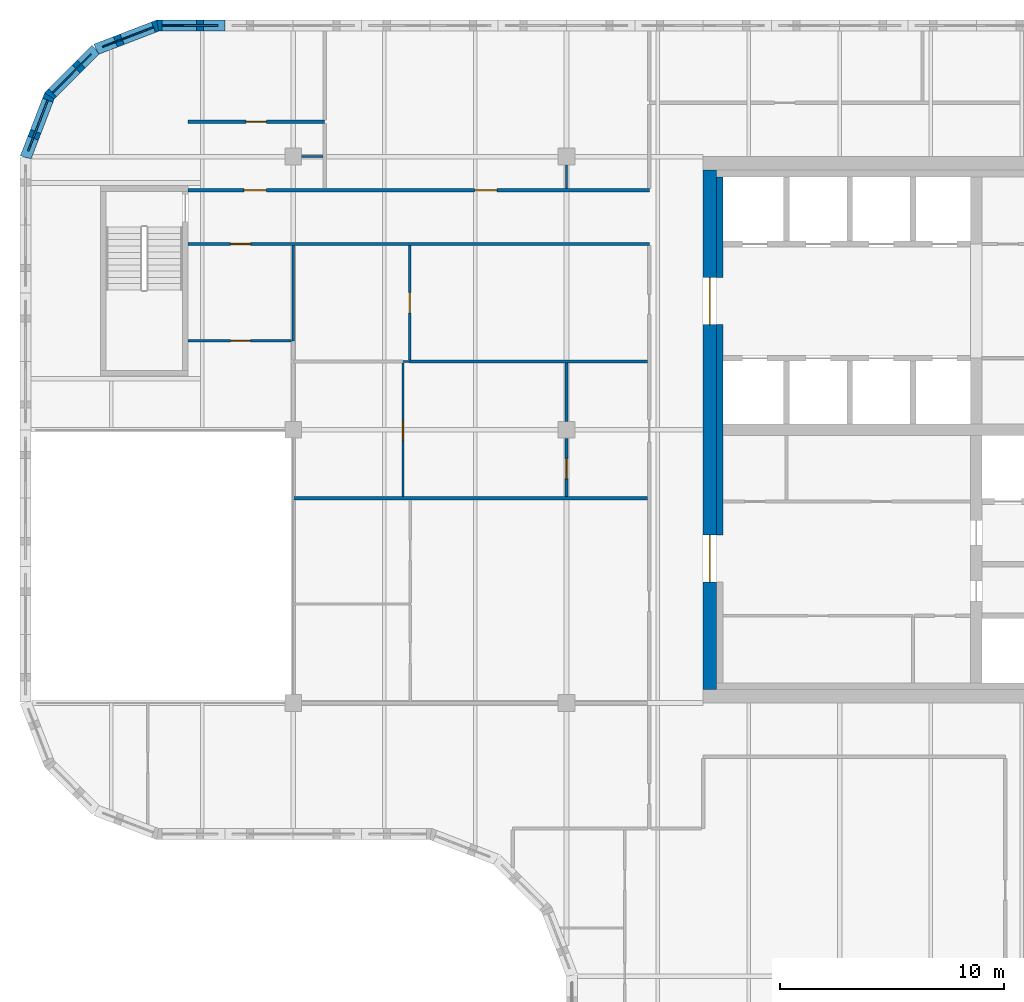
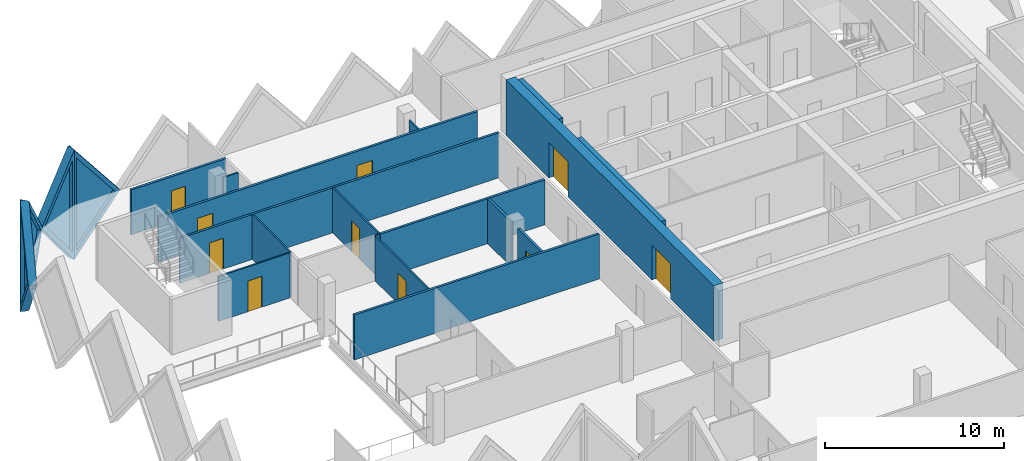
# One storey, part 7 of 12: 21 walls, 10 doors, 4 plates, 14 openings.
"""IFC4 building model written with IfcOpenShell, lengths in metres."""

from ifc_helpers import new_model, si_unit, direction, frame, frame_2d, origin, place, context, subcontext, project, spatial, polyline, rectangle, outline, extrude, faceted_brep, source, transform, mapped, material, layer, layer_set, type_object, element, fill, save


model = new_model("IFC4")

# Units and contexts
model_context = context("Model", 3, precision=1e-05, world=origin(), true_north=direction((0.0, 1.0)))
body_context = subcontext(model_context, "Body", "Model", "MODEL_VIEW")
ifc_project = project(units=[si_unit("LENGTHUNIT", "METRE"), si_unit("AREAUNIT", "SQUARE_METRE"), si_unit("VOLUMEUNIT", "CUBIC_METRE"), si_unit("PLANEANGLEUNIT", "RADIAN"), si_unit("MASSUNIT", "GRAM", prefix="KILO")], contexts=[model_context])

# Site, building, storey
site_placement = place(None, origin())
site = spatial("IfcSite", under=ifc_project, at=site_placement, CompositionType="ELEMENT")
building_placement = place(site_placement, origin())
building = spatial("IfcBuilding", under=site, at=building_placement, Name="Tessera Gate Towers", CompositionType="ELEMENT")
storey_placement = place(building_placement, frame((0.0, 0.0, 178.199951171875)))
storey = spatial("IfcBuildingStorey", under=building, at=storey_placement, Name="L44", CompositionType="ELEMENT", Elevation=178.199951171875)

# Wall, openings, doors
ifc_material_1 = material(Name="Concrete C50/60", Category="concrete")
ifc_layer_1 = layer(ifc_material_1, 0.60009765625)
ifc_layer_set_1 = layer_set([ifc_layer_1], Name="CORE SHEAR WALL 600 C50/60")
wall_type_1 = type_object("IfcWallType", Name="CORE SHEAR WALL 600 C50/60", PredefinedType="SHEAR", material=ifc_layer_set_1)
wall_1_placement = place(storey_placement, frame((30.800048828125, 25.0, 0.0), z_axis=(0.0, 0.0, 1.0), x_axis=(0.0, 1.0, 0.0)))
wall_1 = element("IfcWall", 1, at=wall_1_placement, inside=storey, type_object=wall_type_1, Name="Core wall W L44", PredefinedType="SHEAR", context=body_context, shape_type="SweptSolid", body=[
    extrude(rectangle(XDim=23.199951171875, YDim=0.60009765625, at=frame_2d((11.60009765625, 0.0))), origin(), (0.0, 0.0, 1.0), 3.800048828125),
])
shared_shape_1 = source(origin(), body_context, "Body", "SweptSolid", [
    extrude(rectangle(XDim=2.10009765625, YDim=2.39990234375, at=frame_2d((1.050048828125, 1.199951171875))), frame((0.0, 0.31005859375, 0.0), z_axis=(0.0, -1.0, 0.0), x_axis=(1.0, 0.0, 0.0)), (0.0, 0.0, 1.0), 0.6201171875),
])
opening_1_placement = place(wall_1_placement, frame((4.800048828125, 0.0, 0.0)))
opening_1 = element("IfcOpeningElement", 2, at=opening_1_placement, cuts=wall_1, Name="Opening DD-T1-28-02", PredefinedType="OPENING", context=body_context, shape_type="MappedRepresentation", body=[
    mapped(shared_shape_1, transform((0.0, 0.0, 0.0), scale=1.0)),
])
opening_2_placement = place(wall_1_placement, frame((16.300048828125, 0.0, 0.0)))
opening_2 = element("IfcOpeningElement", 3, at=opening_2_placement, cuts=wall_1, Name="Opening DD-T1-28-03", PredefinedType="OPENING", context=body_context, shape_type="MappedRepresentation", body=[
    mapped(shared_shape_1, transform((0.0, 0.0, 0.0), scale=1.0)),
])
ifc_material_2 = material(Name="Hollow steel fire door", Category="steel")
door_type_1 = type_object("IfcDoorType", Name="CORE DOOR DD 2100x2400", OperationType="NOTDEFINED", PredefinedType="DOOR", material=ifc_material_2)
shared_shape_2 = source(origin(), body_context, "Body", "SweptSolid", [
    extrude(rectangle(XDim=2.10009765625, YDim=2.39990234375, at=frame_2d((1.050048828125, 1.199951171875))), frame((0.0, 0.02490234375, 0.0), z_axis=(0.0, -1.0, 0.0), x_axis=(1.0, 0.0, 0.0)), (0.0, 0.0, 1.0), 0.050048828125),
])
door_1_placement = place(opening_1_placement, origin())
door_1 = element("IfcDoor", 4, at=door_1_placement, inside=storey, type_object=door_type_1, Name="Core entrance door", OperationType="DOUBLE_DOOR_SINGLE_SWING", OverallHeight=2.39990234375, OverallWidth=2.10009765625, PredefinedType="DOOR", context=body_context, shape_type="MappedRepresentation", body=[
    mapped(shared_shape_2, transform((0.0, 0.0, 0.0), scale=1.0)),
])
fill(opening_1, door_1)
door_2_placement = place(opening_2_placement, origin())
door_2 = element("IfcDoor", 5, at=door_2_placement, inside=storey, type_object=door_type_1, Name="Core entrance door", OperationType="DOUBLE_DOOR_SINGLE_SWING", OverallHeight=2.39990234375, OverallWidth=2.10009765625, PredefinedType="DOOR", context=body_context, shape_type="MappedRepresentation", body=[
    mapped(shared_shape_2, transform((0.0, 0.0, 0.0), scale=1.0)),
])
fill(opening_2, door_2)

# Walls
ifc_material_3 = material(Name="Concrete C50/60", Category="concrete")
ifc_layer_2 = layer(ifc_material_3, 0.300048828125)
ifc_layer_set_2 = layer_set([ifc_layer_2], Name="CORE WALL THICKENING 300")
wall_type_2 = type_object("IfcWallType", Name="CORE WALL THICKENING 300", PredefinedType="SOLIDWALL", material=ifc_layer_set_2)
wall_2_placement = place(storey_placement, frame((31.25, 31.89990234375, 0.0), z_axis=(0.0, 0.0, 1.0), x_axis=(0.0, 1.0, 0.0)))
element("IfcWall", 6, at=wall_2_placement, inside=storey, type_object=wall_type_2, Name="Core wall thickening W L44", PredefinedType="SOLIDWALL", context=body_context, shape_type="SweptSolid", body=[
    extrude(rectangle(XDim=9.400146484375, YDim=0.300048828125, at=frame_2d((4.7001953125, 0.0))), origin(), (0.0, 0.0, 1.0), 3.800048828125),
])
wall_3_placement = place(storey_placement, frame((31.25, 43.39990234375, 0.0), z_axis=(0.0, 0.0, 1.0), x_axis=(0.0, 1.0, 0.0)))
element("IfcWall", 7, at=wall_3_placement, inside=storey, type_object=wall_type_2, Name="Core wall thickening W L44", PredefinedType="SOLIDWALL", context=body_context, shape_type="SweptSolid", body=[
    extrude(rectangle(XDim=4.5, YDim=0.300048828125, at=frame_2d((2.25, 0.0))), origin(), (0.0, 0.0, 1.0), 3.800048828125),
])

# Wall, opening, door
ifc_material_4 = material(Name="Gypsum board on steel studs, mineral wool", Category="steel")
ifc_layer_3 = layer(ifc_material_4, 0.14990234375)
ifc_layer_set_3 = layer_set([ifc_layer_3], Name="CORRIDOR WALL 150")
wall_type_3 = type_object("IfcWallType", Name="CORRIDOR WALL 150", PredefinedType="PARTITIONING", material=ifc_layer_set_3)
wall_4_placement = place(storey_placement, frame((28.10009765625, 44.89990234375, 0.0), z_axis=(0.0, 0.0, 1.0), x_axis=(-1.0, 0.0, 0.0)))
wall_4 = element("IfcWall", 8, at=wall_4_placement, inside=storey, type_object=wall_type_3, Name="T1-L44-PW-041", PredefinedType="PARTITIONING", context=body_context, shape_type="SweptSolid", body=[
    extrude(rectangle(XDim=20.60009765625, YDim=0.14990234375, at=frame_2d((10.300048828125, 0.0))), origin(), (0.0, 0.0, 1.0), 3.067138671875),
])
shared_shape_3 = source(origin(), body_context, "Body", "SweptSolid", [
    extrude(rectangle(XDim=0.89990234375, YDim=2.10009765625, at=frame_2d((0.449951171875, 1.050048828125))), frame((0.0, 0.0849609375, 0.0), z_axis=(0.0, -1.0, 0.0), x_axis=(1.0, 0.0, 0.0)), (0.0, 0.0, 1.0), 0.169921875),
])
opening_3_placement = place(wall_4_placement, frame((17.800048828125, 0.0, 0.0)))
opening_3 = element("IfcOpeningElement", 9, at=opening_3_placement, cuts=wall_4, Name="Opening D890FD60-A16-02", PredefinedType="OPENING", context=body_context, shape_type="MappedRepresentation", body=[
    mapped(shared_shape_3, transform((0.0, 0.0, 0.0), scale=1.0)),
])
ifc_material_5 = material(Name="Timber door leaf in steel frame", Category="steel")
door_type_2 = type_object("IfcDoorType", Name="CORRIDOR DOOR 900 FD60", OperationType="NOTDEFINED", PredefinedType="DOOR", material=ifc_material_5)
shared_shape_4 = source(origin(), body_context, "Body", "SweptSolid", [
    extrude(rectangle(XDim=0.89990234375, YDim=2.10009765625, at=frame_2d((0.449951171875, 1.050048828125))), frame((0.0, 0.02490234375, 0.0), z_axis=(0.0, -1.0, 0.0), x_axis=(1.0, 0.0, 0.0)), (0.0, 0.0, 1.0), 0.050048828125),
])
door_3_placement = place(opening_3_placement, origin())
door_3 = element("IfcDoor", 10, at=door_3_placement, inside=storey, type_object=door_type_2, Name="T1-L44-PD-009", OperationType="SINGLE_SWING_RIGHT", OverallHeight=2.10009765625, OverallWidth=0.89990234375, PredefinedType="DOOR", context=body_context, shape_type="MappedRepresentation", body=[
    mapped(shared_shape_4, transform((0.0, 0.0, 0.0), scale=1.0)),
])
fill(opening_3, door_3)

# Wall, openings, doors
wall_5_placement = place(storey_placement, frame((7.5, 47.300048828125, 0.0), z_axis=(0.0, 0.0, 1.0), x_axis=(1.0, 0.0, 0.0)))
wall_5 = element("IfcWall", 11, at=wall_5_placement, inside=storey, type_object=wall_type_3, Name="T1-L44-PW-042", PredefinedType="PARTITIONING", context=body_context, shape_type="SweptSolid", body=[
    extrude(rectangle(XDim=20.60009765625, YDim=0.14990234375, at=frame_2d((10.300048828125, 0.0))), origin(), (0.0, 0.0, 1.0), 3.067138671875),
])
shared_shape_5 = source(origin(), body_context, "Body", "SweptSolid", [
    extrude(rectangle(XDim=1.0, YDim=2.10009765625, at=frame_2d((0.5, 1.050048828125))), frame((0.0, 0.0849609375, 0.0), z_axis=(0.0, -1.0, 0.0), x_axis=(1.0, 0.0, 0.0)), (0.0, 0.0, 1.0), 0.169921875),
])
opening_4_placement = place(wall_5_placement, frame((2.5, 0.0, 0.0)))
opening_4 = element("IfcOpeningElement", 12, at=opening_4_placement, cuts=wall_5, Name="Opening D2100FD60-A16-03", PredefinedType="OPENING", context=body_context, shape_type="MappedRepresentation", body=[
    mapped(shared_shape_5, transform((0.0, 0.0, 0.0), scale=1.0)),
])
opening_5_placement = place(wall_5_placement, frame((12.800048828125, 0.0, 0.0)))
opening_5 = element("IfcOpeningElement", 13, at=opening_5_placement, cuts=wall_5, Name="Opening D2100FD60-A16-06", PredefinedType="OPENING", context=body_context, shape_type="MappedRepresentation", body=[
    mapped(shared_shape_5, transform((0.0, 0.0, 0.0), scale=1.0)),
])
ifc_material_6 = material(Name="Timber door leaf in steel frame", Category="steel")
door_type_3 = type_object("IfcDoorType", Name="TENANCY ENTRANCE DOOR 1000 FD60", OperationType="NOTDEFINED", PredefinedType="DOOR", material=ifc_material_6)
shared_shape_6 = source(origin(), body_context, "Body", "SweptSolid", [
    extrude(rectangle(XDim=1.0, YDim=2.10009765625, at=frame_2d((0.5, 1.050048828125))), frame((0.0, 0.02490234375, 0.0), z_axis=(0.0, -1.0, 0.0), x_axis=(1.0, 0.0, 0.0)), (0.0, 0.0, 1.0), 0.050048828125),
])
door_4_placement = place(opening_4_placement, origin())
door_4 = element("IfcDoor", 14, at=door_4_placement, inside=storey, type_object=door_type_3, Name="T1-L44-PD-018", OperationType="SINGLE_SWING_LEFT", OverallHeight=2.10009765625, OverallWidth=1.0, PredefinedType="DOOR", context=body_context, shape_type="MappedRepresentation", body=[
    mapped(shared_shape_6, transform((0.0, 0.0, 0.0), scale=1.0)),
])
fill(opening_4, door_4)
door_5_placement = place(opening_5_placement, origin())
door_5 = element("IfcDoor", 15, at=door_5_placement, inside=storey, type_object=door_type_3, Name="T1-L44-PD-026", OperationType="SINGLE_SWING_LEFT", OverallHeight=2.10009765625, OverallWidth=1.0, PredefinedType="DOOR", context=body_context, shape_type="MappedRepresentation", body=[
    mapped(shared_shape_6, transform((0.0, 0.0, 0.0), scale=1.0)),
])
fill(opening_5, door_5)

# Wall
ifc_material_7 = material(Name="Glass", Category="glass")
ifc_layer_4 = layer(ifc_material_7, 0.10009765625)
ifc_layer_set_4 = layer_set([ifc_layer_4], Name="GLAZED PARTITION 100")
wall_type_4 = type_object("IfcWallType", Name="GLAZED PARTITION 100", PredefinedType="PARTITIONING", material=ifc_layer_set_4)
wall_6_placement = place(storey_placement, frame((17.10107421875, 39.64990234375, 0.0), z_axis=(0.0, 0.0, 1.0), x_axis=(1.0, 0.0, 0.0)))
element("IfcWall", 16, at=wall_6_placement, inside=storey, type_object=wall_type_4, Name="T1-L44-PW-035", PredefinedType="PARTITIONING", context=body_context, shape_type="SweptSolid", body=[
    extrude(rectangle(XDim=0.2978515625, YDim=0.10009765625, at=frame_2d((0.14892578125, 0.0))), origin(), (0.0, 0.0, 1.0), 3.067138671875),
])

# Wall, opening, door
wall_7_placement = place(storey_placement, frame((17.39990234375, 39.72607421875, 0.0), z_axis=(0.0, 0.0, 1.0), x_axis=(0.0, 1.0, 0.0)))
wall_7 = element("IfcWall", 17, at=wall_7_placement, inside=storey, type_object=wall_type_4, Name="T1-L44-PW-038", PredefinedType="PARTITIONING", context=body_context, shape_type="SweptSolid", body=[
    extrude(rectangle(XDim=5.097900390625, YDim=0.10009765625, at=frame_2d((2.548828125, 0.0))), origin(), (0.0, 0.0, 1.0), 3.067138671875),
])
shared_shape_7 = source(origin(), body_context, "Body", "SweptSolid", [
    extrude(rectangle(XDim=0.89990234375, YDim=2.10009765625, at=frame_2d((0.449951171875, 1.050048828125))), frame((0.0, 0.06005859375, 0.0), z_axis=(0.0, -1.0, 0.0), x_axis=(1.0, 0.0, 0.0)), (0.0, 0.0, 1.0), 0.1201171875),
])
opening_6_placement = place(wall_7_placement, frame((2.10009765625, 0.0, 0.0)))
opening_6 = element("IfcOpeningElement", 18, at=opening_6_placement, cuts=wall_7, Name="Opening D690-A16-02", PredefinedType="OPENING", context=body_context, shape_type="MappedRepresentation", body=[
    mapped(shared_shape_7, transform((0.0, 0.0, 0.0), scale=1.0)),
])
ifc_material_8 = material(Name="Glass in aluminium frame", Category="aluminium")
door_type_4 = type_object("IfcDoorType", Name="GLAZED DOOR 900 NOT RATED", OperationType="NOTDEFINED", PredefinedType="DOOR", material=ifc_material_8)
door_6_placement = place(opening_6_placement, origin())
door_6 = element("IfcDoor", 19, at=door_6_placement, inside=storey, type_object=door_type_4, Name="T1-L44-PD-012", OperationType="SINGLE_SWING_LEFT", OverallHeight=2.10009765625, OverallWidth=0.89990234375, PredefinedType="DOOR", context=body_context, shape_type="MappedRepresentation", body=[
    mapped(shared_shape_4, transform((0.0, 0.0, 0.0), scale=1.0)),
])
fill(opening_6, door_6)

wall_8_placement = place(storey_placement, frame((12.1240234375, 40.574951171875, 0.0), z_axis=(0.0, 0.0, 1.0), x_axis=(-1.0, 0.0, 0.0)))
wall_8 = element("IfcWall", 20, at=wall_8_placement, inside=storey, type_object=wall_type_4, Name="T1-L44-PW-039", PredefinedType="PARTITIONING", context=body_context, shape_type="SweptSolid", body=[
    extrude(rectangle(XDim=4.6240234375, YDim=0.10009765625, at=frame_2d((2.31201171875, 0.0))), origin(), (0.0, 0.0, 1.0), 3.067138671875),
])
opening_7_placement = place(wall_8_placement, frame((1.823974609375, 0.0, 0.0)))
opening_7 = element("IfcOpeningElement", 21, at=opening_7_placement, cuts=wall_8, Name="Opening D690-A16-01", PredefinedType="OPENING", context=body_context, shape_type="MappedRepresentation", body=[
    mapped(shared_shape_7, transform((0.0, 0.0, 0.0), scale=1.0)),
])
door_7_placement = place(opening_7_placement, origin())
door_7 = element("IfcDoor", 22, at=door_7_placement, inside=storey, type_object=door_type_4, Name="T1-L44-PD-008", OperationType="SINGLE_SWING_RIGHT", OverallHeight=2.10009765625, OverallWidth=0.89990234375, PredefinedType="DOOR", context=body_context, shape_type="MappedRepresentation", body=[
    mapped(shared_shape_4, transform((0.0, 0.0, 0.0), scale=1.0)),
])
fill(opening_7, door_7)

# Wall
wall_9_placement = place(storey_placement, frame((12.199951171875, 40.575927734375, 0.0), z_axis=(0.0, 0.0, 1.0), x_axis=(0.0, 1.0, 0.0)))
element("IfcWall", 23, at=wall_9_placement, inside=storey, type_object=wall_type_4, Name="T1-L44-PW-040", PredefinedType="PARTITIONING", context=body_context, shape_type="SweptSolid", body=[
    extrude(rectangle(XDim=4.248046875, YDim=0.10009765625, at=frame_2d((2.1240234375, 0.0))), origin(), (0.0, 0.0, 1.0), 3.067138671875),
])

# Wall, opening, door
ifc_material_9 = material(Name="Gypsum board on steel studs", Category="steel")
ifc_layer_5 = layer(ifc_material_9, 0.10009765625)
ifc_layer_set_5 = layer_set([ifc_layer_5], Name="PARTITION 100")
wall_type_5 = type_object("IfcWallType", Name="PARTITION 100", PredefinedType="PARTITIONING", material=ifc_layer_set_5)
wall_10_placement = place(storey_placement, frame((17.10009765625, 33.6259765625, 0.0), z_axis=(0.0, 0.0, 1.0), x_axis=(0.0, 1.0, 0.0)))
wall_10 = element("IfcWall", 24, at=wall_10_placement, inside=storey, type_object=wall_type_5, Name="T1-L44-PW-030", PredefinedType="PARTITIONING", context=body_context, shape_type="SweptSolid", body=[
    extrude(rectangle(XDim=5.947998046875, YDim=0.10009765625, at=frame_2d((2.97412109375, 0.0))), origin(), (0.0, 0.0, 1.0), 3.067138671875),
])
opening_8_placement = place(wall_10_placement, frame((2.5, 0.0, 0.0)))
opening_8 = element("IfcOpeningElement", 25, at=opening_8_placement, cuts=wall_10, Name="Opening D190-A16-09", PredefinedType="OPENING", context=body_context, shape_type="MappedRepresentation", body=[
    mapped(shared_shape_7, transform((0.0, 0.0, 0.0), scale=1.0)),
])
ifc_material_10 = material(Name="Timber door leaf in steel frame", Category="steel")
door_type_5 = type_object("IfcDoorType", Name="INTERNAL DOOR 900 NOT RATED", OperationType="NOTDEFINED", PredefinedType="DOOR", material=ifc_material_10)
door_8_placement = place(opening_8_placement, origin())
door_8 = element("IfcDoor", 26, at=door_8_placement, inside=storey, type_object=door_type_5, Name="T1-L44-PD-016", OperationType="SINGLE_SWING_LEFT", OverallHeight=2.10009765625, OverallWidth=0.89990234375, PredefinedType="DOOR", context=body_context, shape_type="MappedRepresentation", body=[
    mapped(shared_shape_4, transform((0.0, 0.0, 0.0), scale=1.0)),
])
fill(opening_8, door_8)

# Walls
wall_11_placement = place(storey_placement, frame((24.39990234375, 48.425048828125, 0.0), z_axis=(0.0, 0.0, 1.0), x_axis=(0.0, -1.0, 0.0)))
element("IfcWall", 27, at=wall_11_placement, inside=storey, type_object=wall_type_5, Name="T1-L44-PW-045", PredefinedType="PARTITIONING", context=body_context, shape_type="SweptSolid", body=[
    extrude(rectangle(XDim=1.050048828125, YDim=0.10009765625, at=frame_2d((0.52490234375, 0.0))), origin(), (0.0, 0.0, 1.0), 3.067138671875),
])
wall_12_placement = place(storey_placement, frame((12.574951171875, 48.800048828125, 0.0), z_axis=(0.0, 0.0, 1.0), x_axis=(1.0, 0.0, 0.0)))
element("IfcWall", 28, at=wall_12_placement, inside=storey, type_object=wall_type_5, Name="T1-L44-PW-046", PredefinedType="PARTITIONING", context=body_context, shape_type="SweptSolid", body=[
    extrude(rectangle(XDim=0.949951171875, YDim=0.10009765625, at=frame_2d((0.47509765625, 0.0))), origin(), (0.0, 0.0, 1.0), 3.067138671875),
])
ifc_material_11 = material(Name="Gypsum board on steel studs, mineral wool", Category="steel")
ifc_layer_6 = layer(ifc_material_11, 0.14990234375)
ifc_layer_set_6 = layer_set([ifc_layer_6], Name="TENANCY WALL 150")
wall_type_6 = type_object("IfcWallType", Name="TENANCY WALL 150", PredefinedType="PARTITIONING", material=ifc_layer_set_6)
wall_13_placement = place(storey_placement, frame((12.199951171875, 33.550048828125, 0.0), z_axis=(0.0, 0.0, 1.0), x_axis=(1.0, 0.0, 0.0)))
element("IfcWall", 29, at=wall_13_placement, inside=storey, type_object=wall_type_6, Name="T1-L44-PW-029", PredefinedType="PARTITIONING", context=body_context, shape_type="SweptSolid", body=[
    extrude(rectangle(XDim=15.823974609375, YDim=0.14990234375, at=frame_2d((7.912109375, 0.0))), origin(), (0.0, 0.0, 1.0), 3.067138671875),
])

# Wall, opening, door
wall_14_placement = place(storey_placement, frame((24.39990234375, 33.6259765625, 0.0), z_axis=(0.0, 0.0, 1.0), x_axis=(0.0, 1.0, 0.0)))
wall_14 = element("IfcWall", 30, at=wall_14_placement, inside=storey, type_object=wall_type_6, Name="T1-L44-PW-031", PredefinedType="PARTITIONING", context=body_context, shape_type="SweptSolid", body=[
    extrude(rectangle(XDim=2.59814453125, YDim=0.14990234375, at=frame_2d((1.299072265625, 0.0))), origin(), (0.0, 0.0, 1.0), 3.067138671875),
])
opening_9_placement = place(wall_14_placement, frame((0.800048828125, 0.0, 0.0)))
opening_9 = element("IfcOpeningElement", 31, at=opening_9_placement, cuts=wall_14, Name="Opening D190-A16-08", PredefinedType="OPENING", context=body_context, shape_type="MappedRepresentation", body=[
    mapped(shared_shape_3, transform((0.0, 0.0, 0.0), scale=1.0)),
])
door_9_placement = place(opening_9_placement, origin())
door_9 = element("IfcDoor", 32, at=door_9_placement, inside=storey, type_object=door_type_5, Name="T1-L44-PD-014", OperationType="SINGLE_SWING_LEFT", OverallHeight=2.10009765625, OverallWidth=0.89990234375, PredefinedType="DOOR", context=body_context, shape_type="MappedRepresentation", body=[
    mapped(shared_shape_4, transform((0.0, 0.0, 0.0), scale=1.0)),
])
fill(opening_9, door_9)

# Walls
wall_15_placement = place(storey_placement, frame((24.39990234375, 36.97607421875, 0.0), z_axis=(0.0, 0.0, 1.0), x_axis=(0.0, 1.0, 0.0)))
element("IfcWall", 33, at=wall_15_placement, inside=storey, type_object=wall_type_6, Name="T1-L44-PW-033", PredefinedType="PARTITIONING", context=body_context, shape_type="SweptSolid", body=[
    extrude(rectangle(XDim=2.597900390625, YDim=0.14990234375, at=frame_2d((1.298828125, 0.0))), origin(), (0.0, 0.0, 1.0), 3.067138671875),
])
wall_16_placement = place(storey_placement, frame((17.39990234375, 39.64990234375, 0.0), z_axis=(0.0, 0.0, 1.0), x_axis=(1.0, 0.0, 0.0)))
element("IfcWall", 34, at=wall_16_placement, inside=storey, type_object=wall_type_6, Name="T1-L44-PW-036", PredefinedType="PARTITIONING", context=body_context, shape_type="SweptSolid", body=[
    extrude(rectangle(XDim=10.6240234375, YDim=0.14990234375, at=frame_2d((5.31201171875, 0.0))), origin(), (0.0, 0.0, 1.0), 3.067138671875),
])

# Wall, opening, door
wall_17_placement = place(storey_placement, frame((7.5, 50.35009765625, 0.0), z_axis=(0.0, 0.0, 1.0), x_axis=(1.0, 0.0, 0.0)))
wall_17 = element("IfcWall", 35, at=wall_17_placement, inside=storey, type_object=wall_type_6, Name="T1-L44-PW-047", PredefinedType="PARTITIONING", context=body_context, shape_type="SweptSolid", body=[
    extrude(rectangle(XDim=6.10009765625, YDim=0.14990234375, at=frame_2d((3.050048828125, 0.0))), origin(), (0.0, 0.0, 1.0), 3.067138671875),
])
opening_10_placement = place(wall_17_placement, frame((2.60009765625, 0.0, 0.0)))
opening_10 = element("IfcOpeningElement", 36, at=opening_10_placement, cuts=wall_17, Name="Opening D190-A16-10", PredefinedType="OPENING", context=body_context, shape_type="MappedRepresentation", body=[
    mapped(shared_shape_3, transform((0.0, 0.0, 0.0), scale=1.0)),
])
door_10_placement = place(opening_10_placement, origin())
door_10 = element("IfcDoor", 37, at=door_10_placement, inside=storey, type_object=door_type_5, Name="T1-L44-PD-020", OperationType="SINGLE_SWING_LEFT", OverallHeight=2.10009765625, OverallWidth=0.89990234375, PredefinedType="DOOR", context=body_context, shape_type="MappedRepresentation", body=[
    mapped(shared_shape_4, transform((0.0, 0.0, 0.0), scale=1.0)),
])
fill(opening_10, door_10)

# Wall, opening, plate
ifc_material_12 = material(Name="Precast concrete C60/75 white", Category="concrete")
ifc_layer_7 = layer(ifc_material_12, 0.5)
ifc_layer_set_7 = layer_set([ifc_layer_7], Name="TS3 corner tessera")
wall_type_7 = type_object("IfcWallType", Name="TS3 corner tessera", PredefinedType="SOLIDWALL", material=ifc_layer_set_7)
shared_shape_8 = source(origin(), body_context, "Body", "Brep", [
    faceted_brep([(3.00341796875, -0.25, 0.0), (3.050048828125, -0.25, 0.06005859375), (3.050048828125, -0.25, 7.5400390625), (3.00341796875, -0.25, 7.60009765625), (0.0, -0.25, 3.800048828125), (0.0, 0.25, 3.800048828125), (2.956787109375, 0.25, 7.541259765625), (2.956787109375, 0.25, 0.058837890625), (3.00341796875, 0.000244140625, 0.0), (3.00341796875, 0.000244140625, 7.60009765625)], [[[0, 1, 2, 3, 4]], [[5, 6, 7]], [[1, 0, 8]], [[9, 3, 2]], [[6, 5, 4, 3, 9]], [[5, 7, 8, 0, 4]], [[1, 8, 7, 6, 9, 2]]]),
])
wall_18_placement = place(storey_placement, frame((9.14990234375, 54.64990234375, -3.800048828125), z_axis=(0.0, 0.0, 1.0), x_axis=(-1.0, 0.0, 0.0)))
wall_18 = element("IfcWall", 38, at=wall_18_placement, inside=storey, type_object=wall_type_7, Name="Precast corner tessera T1 TS3-1019", PredefinedType="SOLIDWALL", context=body_context, shape_type="MappedRepresentation", body=[
    mapped(shared_shape_8, transform((0.0, 0.0, 0.0), scale=1.0)),
])
shared_shape_9 = source(origin(), body_context, "Body", "SweptSolid", [
    extrude(outline(polyline([(2.803466796875, 6.94384765625), (0.318603515625, 3.800048828125), (2.803466796875, 0.65625), (2.803466796875, 6.94384765625)])), frame((0.0, 0.260009765625, 0.0), z_axis=(0.0, -1.0, 0.0), x_axis=(1.0, 0.0, 0.0)), (0.0, 0.0, 1.0), 0.52001953125),
])
opening_11_placement = place(wall_18_placement, origin())
opening_11 = element("IfcOpeningElement", 39, at=opening_11_placement, cuts=wall_18, Name="Opening T1-PL2-1578", PredefinedType="OPENING", context=body_context, shape_type="MappedRepresentation", body=[
    mapped(shared_shape_9, transform((0.0, 0.0, 0.0), scale=1.0)),
])
ifc_material_13 = material(Name="Low-e laminated glass", Category="glass")
ifc_layer_8 = layer(ifc_material_13, 0.06005859375)
ifc_layer_set_8 = layer_set([ifc_layer_8], Name="PL2 rhombic pane")
plate_type = type_object("IfcPlateType", Name="PL2 rhombic pane", PredefinedType="SHEET", material=ifc_layer_set_8)
shared_shape_10 = source(origin(), body_context, "Body", "SweptSolid", [
    extrude(outline(polyline([(2.803466796875, 6.94384765625), (0.318603515625, 3.800048828125), (2.803466796875, 0.65625), (2.803466796875, 6.94384765625)])), frame((0.0, 0.030029296875, 0.0), z_axis=(0.0, -1.0, 0.0), x_axis=(1.0, 0.0, 0.0)), (0.0, 0.0, 1.0), 0.06005859375),
])
plate_1_placement = place(opening_11_placement, origin())
plate_1 = element("IfcPlate", 40, at=plate_1_placement, inside=storey, type_object=plate_type, Name="Glass pane T1 PL2-1578", PredefinedType="SHEET", context=body_context, shape_type="MappedRepresentation", body=[
    mapped(shared_shape_10, transform((0.0, 0.0, 0.0), scale=1.0)),
])
fill(opening_11, plate_1)

shared_shape_11 = source(origin(), body_context, "Body", "Brep", [
    faceted_brep([(0.046630859375, -0.25, 0.0), (2.9970703125, -0.25, 3.800048828125), (0.046630859375, -0.25, 7.60009765625), (0.0, -0.25, 7.541259765625), (0.0, -0.25, 0.058837890625), (0.09326171875, 0.25, 7.5400390625), (2.9443359375, 0.25, 3.8681640625), (2.9443359375, 0.25, 3.73193359375), (0.09326171875, 0.25, 0.06005859375), (2.9970703125, 0.00048828125, 3.800048828125), (0.046630859375, 0.0, 0.0), (0.046630859375, 0.0, 7.60009765625)], [[[0, 1, 2, 3, 4]], [[5, 6, 7, 8]], [[8, 7, 9, 1, 0, 10]], [[6, 5, 11, 2, 1, 9]], [[3, 2, 11]], [[10, 0, 4]], [[8, 10, 4, 3, 11, 5]], [[9, 7, 6]]]),
])
wall_19_placement = place(storey_placement, frame((6.18994140625, 54.666748046875, -3.800048828125), z_axis=(0.0, 0.0, 1.0), x_axis=(-0.932990326376, -0.359901446078, 0.0)))
wall_19 = element("IfcWall", 41, at=wall_19_placement, inside=storey, type_object=wall_type_7, Name="Precast corner tessera T1 TS3-1020", PredefinedType="SOLIDWALL", context=body_context, shape_type="MappedRepresentation", body=[
    mapped(shared_shape_11, transform((0.0, 0.0, 0.0), scale=1.0)),
])
shared_shape_12 = source(origin(), body_context, "Body", "SweptSolid", [
    extrude(outline(polyline([(0.24658203125, 0.665283203125), (2.6806640625, 3.800048828125), (0.24658203125, 6.934814453125), (0.24658203125, 0.665283203125)])), frame((0.0, 0.260009765625, 0.0), z_axis=(0.0, -1.0, 0.0), x_axis=(1.0, 0.0, 0.0)), (0.0, 0.0, 1.0), 0.52001953125),
])
opening_12_placement = place(wall_19_placement, origin())
opening_12 = element("IfcOpeningElement", 42, at=opening_12_placement, cuts=wall_19, Name="Opening T1-PL2-1579", PredefinedType="OPENING", context=body_context, shape_type="MappedRepresentation", body=[
    mapped(shared_shape_12, transform((0.0, 0.0, 0.0), scale=1.0)),
])
shared_shape_13 = source(origin(), body_context, "Body", "SweptSolid", [
    extrude(outline(polyline([(0.24658203125, 0.665283203125), (2.6806640625, 3.800048828125), (0.24658203125, 6.934814453125), (0.24658203125, 0.665283203125)])), frame((0.0, 0.030029296875, 0.0), z_axis=(0.0, -1.0, 0.0), x_axis=(1.0, 0.0, 0.0)), (0.0, 0.0, 1.0), 0.06005859375),
])
plate_2_placement = place(opening_12_placement, origin())
plate_2 = element("IfcPlate", 43, at=plate_2_placement, inside=storey, type_object=plate_type, Name="Glass pane T1 PL2-1579", PredefinedType="SHEET", context=body_context, shape_type="MappedRepresentation", body=[
    mapped(shared_shape_13, transform((0.0, 0.0, 0.0), scale=1.0)),
])
fill(opening_12, plate_2)

shared_shape_14 = source(origin(), body_context, "Body", "Brep", [
    faceted_brep([(0.052978515625, -0.25, 0.0), (3.00341796875, -0.25, 3.800048828125), (0.052978515625, -0.25, 7.60009765625), (0.0, -0.25, 7.53173828125), (0.0, -0.25, 0.068359375), (0.10595703125, 0.25, 7.531982421875), (2.95703125, 0.25, 3.85986328125), (2.95703125, 0.25, 3.740234375), (0.10595703125, 0.25, 0.068115234375), (3.00341796875, 0.00048828125, 3.800048828125), (0.052978515625, 0.0, 0.0), (0.052978515625, 0.0, 7.60009765625)], [[[0, 1, 2, 3, 4]], [[5, 6, 7, 8]], [[8, 7, 9, 1, 0, 10]], [[6, 5, 11, 2, 1, 9]], [[3, 2, 11]], [[10, 0, 4]], [[8, 10, 4, 3, 11, 5]], [[9, 7, 6]]]),
])
wall_20_placement = place(storey_placement, frame((1.3310546875, 51.5556640625, -3.800048828125), z_axis=(0.0, 0.0, 1.0), x_axis=(-0.35992665181, -0.932980602862, 0.0)))
wall_20 = element("IfcWall", 44, at=wall_20_placement, inside=storey, type_object=wall_type_7, Name="Precast corner tessera T1 TS3-1022", PredefinedType="SOLIDWALL", context=body_context, shape_type="MappedRepresentation", body=[
    mapped(shared_shape_14, transform((0.0, 0.0, 0.0), scale=1.0)),
])
shared_shape_15 = source(origin(), body_context, "Body", "SweptSolid", [
    extrude(outline(polyline([(0.2529296875, 0.665283203125), (2.68701171875, 3.800048828125), (0.2529296875, 6.934814453125), (0.2529296875, 0.665283203125)])), frame((0.0, 0.260009765625, 0.0), z_axis=(0.0, -1.0, 0.0), x_axis=(1.0, 0.0, 0.0)), (0.0, 0.0, 1.0), 0.52001953125),
])
opening_13_placement = place(wall_20_placement, origin())
opening_13 = element("IfcOpeningElement", 45, at=opening_13_placement, cuts=wall_20, Name="Opening T1-PL2-1581", PredefinedType="OPENING", context=body_context, shape_type="MappedRepresentation", body=[
    mapped(shared_shape_15, transform((0.0, 0.0, 0.0), scale=1.0)),
])
shared_shape_16 = source(origin(), body_context, "Body", "SweptSolid", [
    extrude(outline(polyline([(0.2529296875, 0.665283203125), (2.68701171875, 3.800048828125), (0.2529296875, 6.934814453125), (0.2529296875, 0.665283203125)])), frame((0.0, 0.030029296875, 0.0), z_axis=(0.0, -1.0, 0.0), x_axis=(1.0, 0.0, 0.0)), (0.0, 0.0, 1.0), 0.06005859375),
])
plate_3_placement = place(opening_13_placement, origin())
plate_3 = element("IfcPlate", 46, at=plate_3_placement, inside=storey, type_object=plate_type, Name="Glass pane T1 PL2-1581", PredefinedType="SHEET", context=body_context, shape_type="MappedRepresentation", body=[
    mapped(shared_shape_16, transform((0.0, 0.0, 0.0), scale=1.0)),
])
fill(opening_13, plate_3)

shared_shape_17 = source(origin(), body_context, "Body", "Brep", [
    faceted_brep([(2.944091796875, -0.25, 0.0), (2.9970703125, -0.25, 0.068115234375), (2.9970703125, -0.25, 7.531982421875), (2.944091796875, -0.25, 7.60009765625), (0.0, -0.25, 3.800048828125), (0.052978515625, 0.25, 3.868408203125), (2.89111328125, 0.25, 7.531982421875), (2.89111328125, 0.25, 0.068115234375), (0.052978515625, 0.25, 3.731689453125), (2.944091796875, 0.000244140625, 0.0), (2.944091796875, 0.000244140625, 7.60009765625), (0.0, 0.0, 3.800048828125)], [[[0, 1, 2, 3, 4]], [[5, 6, 7, 8]], [[1, 0, 9]], [[10, 3, 2]], [[6, 5, 11, 4, 3, 10]], [[8, 7, 9, 0, 4, 11]], [[8, 11, 5]], [[1, 9, 7, 6, 10, 2]]]),
])
wall_21_placement = place(storey_placement, frame((3.393798828125, 53.588134765625, -3.800048828125), z_axis=(0.0, 0.0, 1.0), x_axis=(-0.707106781187, -0.707106781187, 0.0)))
wall_21 = element("IfcWall", 47, at=wall_21_placement, inside=storey, type_object=wall_type_7, Name="Precast corner tessera T1 TS3-1021", PredefinedType="SOLIDWALL", context=body_context, shape_type="MappedRepresentation", body=[
    mapped(shared_shape_17, transform((0.0, 0.0, 0.0), scale=1.0)),
])
shared_shape_18 = source(origin(), body_context, "Body", "SweptSolid", [
    extrude(outline(polyline([(2.744140625, 6.933837890625), (0.316162109375, 3.800048828125), (2.744140625, 0.66650390625), (2.744140625, 6.933837890625)])), frame((0.0, 0.260009765625, 0.0), z_axis=(0.0, -1.0, 0.0), x_axis=(1.0, 0.0, 0.0)), (0.0, 0.0, 1.0), 0.52001953125),
])
opening_14_placement = place(wall_21_placement, origin())
opening_14 = element("IfcOpeningElement", 48, at=opening_14_placement, cuts=wall_21, Name="Opening T1-PL2-1580", PredefinedType="OPENING", context=body_context, shape_type="MappedRepresentation", body=[
    mapped(shared_shape_18, transform((0.0, 0.0, 0.0), scale=1.0)),
])
shared_shape_19 = source(origin(), body_context, "Body", "SweptSolid", [
    extrude(outline(polyline([(2.744140625, 6.933837890625), (0.316162109375, 3.800048828125), (2.744140625, 0.66650390625), (2.744140625, 6.933837890625)])), frame((0.0, 0.030029296875, 0.0), z_axis=(0.0, -1.0, 0.0), x_axis=(1.0, 0.0, 0.0)), (0.0, 0.0, 1.0), 0.06005859375),
])
plate_4_placement = place(opening_14_placement, origin())
plate_4 = element("IfcPlate", 49, at=plate_4_placement, inside=storey, type_object=plate_type, Name="Glass pane T1 PL2-1580", PredefinedType="SHEET", context=body_context, shape_type="MappedRepresentation", body=[
    mapped(shared_shape_19, transform((0.0, 0.0, 0.0), scale=1.0)),
])
fill(opening_14, plate_4)

save(model, "model.ifc")
